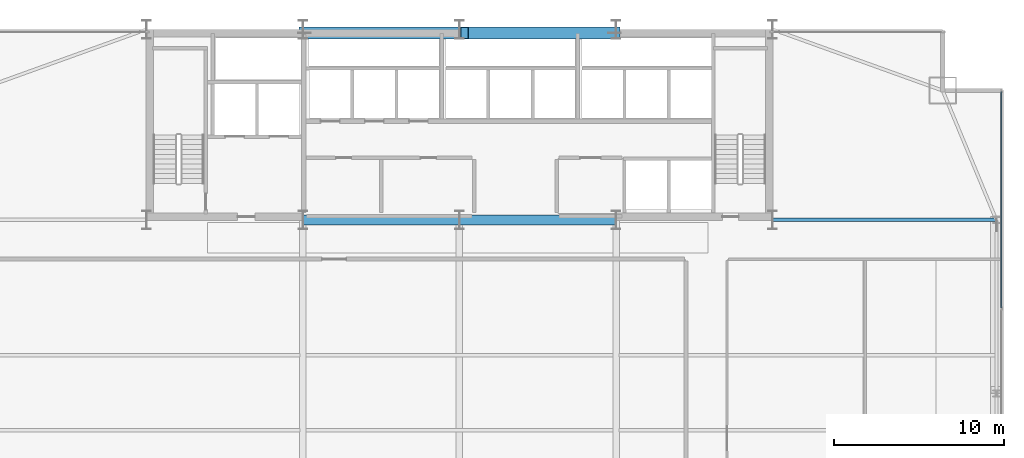
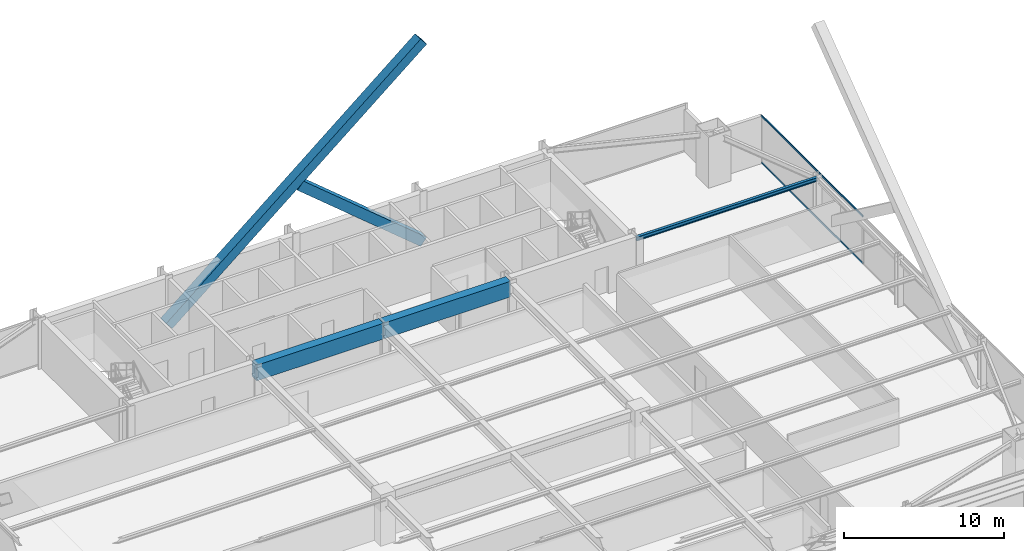
# One storey, part 22 of 32: 4 members, 3 beams, 1 element without a shape of its own.
"""IFC4 building model written with IfcOpenShell, lengths in metres."""

from ifc_helpers import new_model, si_unit, direction, frame, origin, origin_2d, place, context, subcontext, project, spatial, rectangle, hollow_rectangle, i_section, extrude, source, transform, mapped, material, layer, layer_set, material_profile, profile_set, type_object, type_shapes, element, aggregate, save


model = new_model("IFC4")

# Units and contexts
model_context = context("Model", 3, precision=1e-05, world=origin(), true_north=direction((0.0, 1.0)))
body_context = subcontext(model_context, "Body", "Model", "MODEL_VIEW")
ifc_project = project(units=[si_unit("LENGTHUNIT", "METRE"), si_unit("AREAUNIT", "SQUARE_METRE"), si_unit("VOLUMEUNIT", "CUBIC_METRE"), si_unit("PLANEANGLEUNIT", "RADIAN"), si_unit("MASSUNIT", "GRAM", prefix="KILO")], contexts=[model_context])

# Site, building, storey
site_placement = place(None, origin())
site = spatial("IfcSite", under=ifc_project, at=site_placement, CompositionType="ELEMENT")
building_placement = place(site_placement, origin())
building = spatial("IfcBuilding", under=site, at=building_placement, Name="Varnel Quay Broadcast Tower", CompositionType="ELEMENT")
storey_placement = place(building_placement, frame((0.0, 0.0, 43.199951171875)))
storey = spatial("IfcBuildingStorey", under=building, at=storey_placement, Name="L09", CompositionType="ELEMENT", Elevation=43.199951171875)

# Beams
ifc_material_1 = material(Name="Concrete CSA A23.3 C60/75", Category="concrete")
ifc_material_profile_1 = material_profile(ifc_material_1, rectangle(XDim=0.60009765625, YDim=1.199951171875, at=origin_2d()), Name="RC600X1200")
ifc_profile_set_1 = profile_set([ifc_material_profile_1], Name="Concrete CSA A23.3 C60/75")
beam_type_1 = type_object("IfcBeamType", Name="Beam_RC600X1200", PredefinedType="BEAM", material=ifc_profile_set_1)
shared_shape_1 = source(origin(), body_context, "Body", "SweptSolid", [
    extrude(rectangle(XDim=0.60009765625, YDim=1.199951171875, at=origin_2d()), origin(), (0.0, 0.0, 1.0), 9.159912109375),
])
type_shapes(beam_type_1, [shared_shape_1])
for number, where, z_axis, x_axis, name in (
    (1, (24.820068359375, 35.60009765625, 3.050048828125), (1.0, 0.0, 0.0), (0.0, 1.0, 0.0), "L09 Core Coupling Beam W"),
    (2, (34.02001953125, 35.60009765625, 3.050048828125), (1.0, 0.0, 0.0), (0.0, 1.0, 0.0), "L09 Core Coupling Beam E"),
):
    element("IfcBeam", number, at=place(storey_placement, frame(where, z_axis=z_axis, x_axis=x_axis)), inside=storey, type_object=beam_type_1, Name=name, PredefinedType="BEAM", context=body_context, shape_type="MappedRepresentation", body=[
        mapped(shared_shape_1, transform((0.0, 0.0, 0.0), x_axis=(1.0, 0.0, 0.0), y_axis=(0.0, 1.0, 0.0), z_axis=(0.0, 0.0, 1.0), scale=1.0)),
    ])
ifc_material_2 = material(Name="Structural Steel CSA G40.21 350W", Category="steel")
ifc_material_profile_2 = material_profile(ifc_material_2, i_section(OverallWidth=0.202880859375, OverallDepth=0.302978515625, WebThickness=0.007568359375, FlangeThickness=0.01318359375, FilletRadius=0.011962890625, at=origin_2d()), Name="W310X60")
ifc_profile_set_2 = profile_set([ifc_material_profile_2], Name="Structural Steel CSA G40.21 350W")
beam_type_2 = type_object("IfcBeamType", Name="Beam_W310X60", PredefinedType="JOIST", material=ifc_profile_set_2)
shared_shape_2 = source(origin(), body_context, "Body", "SweptSolid", [
    extrude(i_section(OverallWidth=0.202880859375, OverallDepth=0.302978515625, WebThickness=0.007568359375, FlangeThickness=0.01318359375, FilletRadius=0.011962890625, at=origin_2d()), origin(), (0.0, 0.0, 1.0), 13.110107421875),
])
type_shapes(beam_type_2, [shared_shape_2])
beam_placement = place(storey_placement, frame((52.419921875, 35.60009765625, 3.49853515625), z_axis=(1.0, 0.0, 0.0), x_axis=(0.0, 1.0, 0.0)))
element("IfcBeam", 3, at=beam_placement, inside=storey, type_object=beam_type_2, Name="L09 East Core Tie Joist", PredefinedType="JOIST", context=body_context, shape_type="MappedRepresentation", body=[
    mapped(shared_shape_2, transform((0.0, 0.0, 0.0), x_axis=(1.0, 0.0, 0.0), y_axis=(0.0, 1.0, 0.0), z_axis=(0.0, 0.0, 1.0), scale=1.0)),
])

# Members
ifc_material_3 = material(Name="Structural Steel CSA G40.21 350WT", Category="steel")
ifc_material_profile_3 = material_profile(ifc_material_3, hollow_rectangle(XDim=0.699951171875, YDim=0.699951171875, WallThickness=0.031982421875, at=origin_2d()), Name="BOX700X700X32")
ifc_profile_set_3 = profile_set([ifc_material_profile_3], Name="Structural Steel CSA G40.21 350WT")
member_type_1 = type_object("IfcMemberType", Name="Brace_BOX700X700X32", PredefinedType="BRACE", material=ifc_profile_set_3)
shared_shape_3 = source(origin(), body_context, "Body", "SweptSolid", [
    extrude(hollow_rectangle(XDim=0.699951171875, YDim=0.699951171875, WallThickness=0.031982421875, at=origin_2d()), origin(), (0.0, 0.0, 1.0), 11.58740234375),
])
member_1_placement = place(storey_placement, frame((43.199951171875, 46.580078125, 0.02001953125), z_axis=(-0.768701172799, 0.0, 0.63960808855), x_axis=(0.0, -1.0, 0.0)))
element("IfcMember", 4, at=member_1_placement, inside=storey, type_object=member_type_1, Name="Zone 1 Mega-Brace N-CT2 Split Diag B1", PredefinedType="BRACE", context=body_context, shape_type="MappedRepresentation", body=[
    mapped(shared_shape_3, transform((0.0, 0.0, 0.0), x_axis=(1.0, 0.0, 0.0), y_axis=(0.0, 1.0, 0.0), z_axis=(0.0, 0.0, 1.0), scale=1.0)),
])
shared_shape_4 = source(origin(), body_context, "Body", "SweptSolid", [
    extrude(hollow_rectangle(XDim=0.699951171875, YDim=0.699951171875, WallThickness=0.031982421875, at=origin_2d()), origin(), (0.0, 0.0, 1.0), 23.9365234375),
])
type_shapes(member_type_1, [shared_shape_3, shared_shape_4])
member_2_placement = place(storey_placement, frame((24.800048828125, 46.580078125, 0.02001953125), z_axis=(0.768697602075, 0.0, 0.639612379934), x_axis=(0.0, 1.0, 0.0)))
element("IfcMember", 5, at=member_2_placement, inside=storey, type_object=member_type_1, Name="Zone 1 Mega-Brace N-CT2 Continuous Diag A", PredefinedType="BRACE", context=body_context, shape_type="MappedRepresentation", body=[
    mapped(shared_shape_4, transform((0.0, 0.0, 0.0), x_axis=(1.0, 0.0, 0.0), y_axis=(0.0, 1.0, 0.0), z_axis=(0.0, 0.0, 1.0), scale=1.0)),
])

# Curtain wall, members
ifc_material_4 = material(Name="Anodised Bronze Aluminium 6063-T6", Category="aluminium")
ifc_layer = layer(ifc_material_4, 0.18994140625, Name="Anodised Bronze Aluminium 6063-T6")
ifc_layer_set = layer_set([ifc_layer], Name="Anodised Bronze Aluminium 6063-T6")
curtain_wall_type = type_object("IfcCurtainWallType", Name="CW_LowerTower", PredefinedType="NOTDEFINED", material=ifc_layer_set)
curtain_wall_placement = place(storey_placement, origin())
curtain_wall = element("IfcCurtainWall", 6, at=curtain_wall_placement, inside=storey, type_object=curtain_wall_type, Name="L09 East Unitised Curtain Wall", PredefinedType="NOTDEFINED")
ifc_material_profile_4 = material_profile(ifc_material_4, hollow_rectangle(XDim=0.06005859375, YDim=0.14501953125, WallThickness=0.00341796875, at=origin_2d()), Name="ALU60X145X3.5")
ifc_profile_set_4 = profile_set([ifc_material_profile_4], Name="Anodised Bronze Aluminium 6063-T6")
member_type_2 = type_object("IfcMemberType", Name="Tran_CWS-02", PredefinedType="USERDEFINED", material=ifc_profile_set_4)
shared_shape_5 = source(origin(), body_context, "Body", "SweptSolid", [
    extrude(hollow_rectangle(XDim=0.06005859375, YDim=0.14501953125, WallThickness=0.00341796875, at=origin_2d()), origin(), (0.0, 0.0, 1.0), 12.69482421875),
])
type_shapes(member_type_2, [shared_shape_5])
member_3_placement = place(storey_placement, frame((65.85009765625, 30.43505859375, 0.030029296875), z_axis=(0.0, 1.0, 0.0), x_axis=(-1.0, 0.0, 0.0)))
member_3 = element("IfcMember", 7, at=member_3_placement, type_object=member_type_2, Name="CWS-02 transom 3.1", ObjectType="TRANSOM", PredefinedType="USERDEFINED", context=body_context, shape_type="MappedRepresentation", body=[
    mapped(shared_shape_5, transform((0.0, 0.0, 0.0), x_axis=(1.0, 0.0, 0.0), y_axis=(0.0, 1.0, 0.0), z_axis=(0.0, 0.0, 1.0), scale=1.0)),
])
member_4_placement = place(storey_placement, frame((65.85009765625, 30.43505859375, 3.6201171875), z_axis=(0.0, 1.0, 0.0), x_axis=(-1.0, 0.0, 0.0)))
member_4 = element("IfcMember", 8, at=member_4_placement, type_object=member_type_2, Name="CWS-02 transom 3.2", ObjectType="TRANSOM", PredefinedType="USERDEFINED", context=body_context, shape_type="MappedRepresentation", body=[
    mapped(shared_shape_5, transform((0.0, 0.0, 0.0), x_axis=(1.0, 0.0, 0.0), y_axis=(0.0, 1.0, 0.0), z_axis=(0.0, 0.0, 1.0), scale=1.0)),
])
aggregate(curtain_wall, [member_3, member_4])

save(model, "model.ifc")
